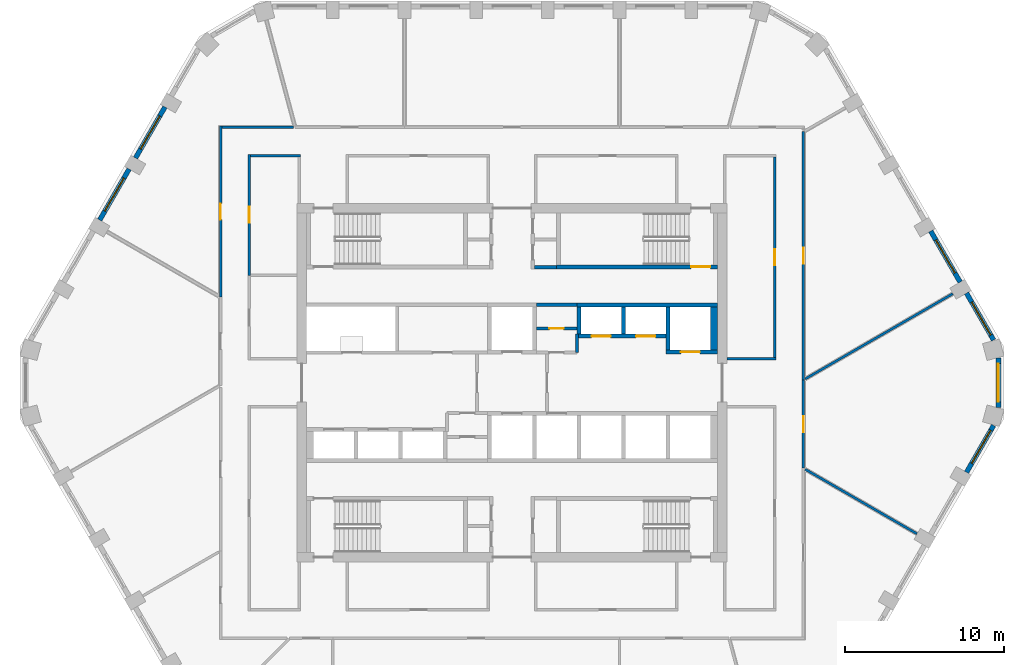
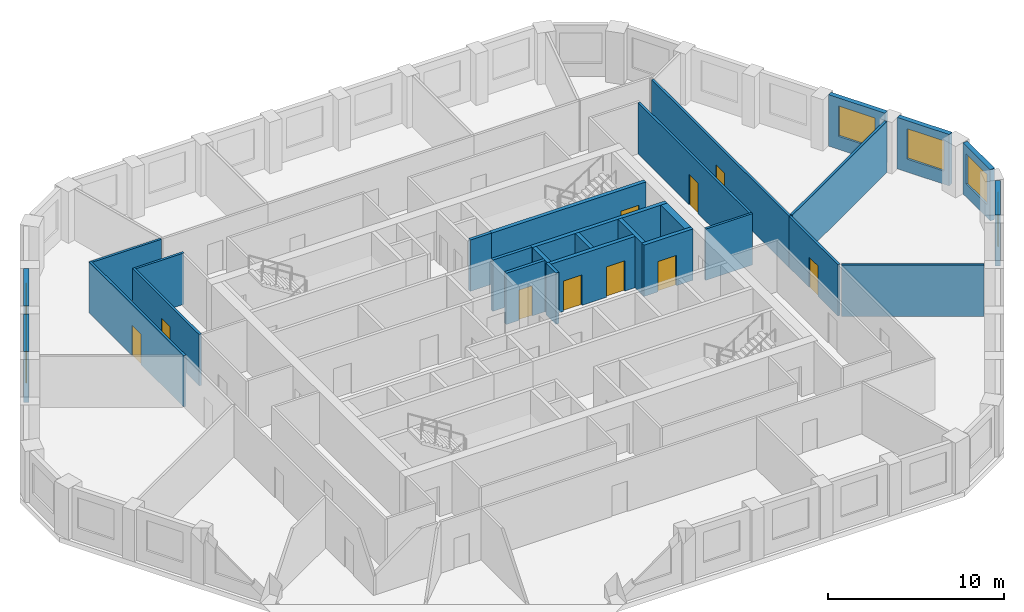
# One storey, part 5 of 13: 28 walls, 10 doors, 6 windows, 16 openings.
"""IFC4 building model written with IfcOpenShell, lengths in metres."""

from ifc_helpers import new_model, si_unit, direction, frame, frame_2d, origin, place, context, subcontext, project, spatial, polyline, rectangle, outline, extrude, material, layer, layer_set, type_object, element, fill, save


model = new_model("IFC4")

# Units and contexts
model_context = context("Model", 3, precision=1e-05, world=origin(), true_north=direction((0.0, 1.0)))
body_context = subcontext(model_context, "Body", "Model", "MODEL_VIEW")
ifc_project = project(units=[si_unit("LENGTHUNIT", "METRE"), si_unit("AREAUNIT", "SQUARE_METRE"), si_unit("VOLUMEUNIT", "CUBIC_METRE"), si_unit("PLANEANGLEUNIT", "RADIAN"), si_unit("MASSUNIT", "GRAM", prefix="KILO")], contexts=[model_context])

# Site, building, storey
site_placement = place(None, origin())
site = spatial("IfcSite", under=ifc_project, at=site_placement, CompositionType="ELEMENT")
building_placement = place(site_placement, origin())
building = spatial("IfcBuilding", under=site, at=building_placement, Name="Dhurran Vertical Campus", CompositionType="ELEMENT")
storey_placement = place(building_placement, frame((0.0, 0.0, 187.800048828125)))
storey = spatial("IfcBuildingStorey", under=building, at=storey_placement, Name="L46", CompositionType="ELEMENT", Elevation=187.800048828125)

# Wall, opening, window
ifc_material_1 = material(Name="Precast concrete C50/60", Category="concrete")
ifc_layer_1 = layer(ifc_material_1, 0.300048828125)
ifc_layer_set_1 = layer_set([ifc_layer_1], Name="Precast concrete C50/60")
wall_type_1 = type_object("IfcWallType", Name="Precast spandrel wall 300", PredefinedType="SOLIDWALL", material=ifc_layer_set_1)
wall_1_placement = place(storey_placement, frame((28.544189453125, -5.625244140625, 0.0), z_axis=(0.0, 0.0, 1.0), x_axis=(0.500012868213, 0.866017974191, 0.0)))
wall_1 = element("IfcWall", 1, at=wall_1_placement, inside=storey, type_object=wall_type_1, Name="EW1 L46.12", PredefinedType="SOLIDWALL", context=body_context, shape_type="SweptSolid", body=[
    extrude(rectangle(XDim=3.39599609375, YDim=0.300048828125, at=frame_2d((1.697998046875, 0.0))), origin(), (0.0, 0.0, 1.0), 3.550048828125),
])
opening_1_placement = place(wall_1_placement, frame((0.6494140625, 0.0, 0.89990234375)))
opening_1 = element("IfcOpeningElement", 2, at=opening_1_placement, cuts=wall_1, Name="Opening WT1", PredefinedType="OPENING", context=body_context, shape_type="SweptSolid", body=[
    extrude(rectangle(XDim=2.39990234375, YDim=2.10009765625, at=frame_2d((1.199951171875, 1.050048828125))), frame((0.0, 0.159912109375, 0.0), z_axis=(0.0, -1.0, 0.0), x_axis=(1.0, 0.0, 0.0)), (0.0, 0.0, 1.0), 0.320068359375),
])
ifc_material_2 = material(Name="Aluminium frame with solar-control glass", Category="aluminium")
window_type = type_object("IfcWindowType", Name="Punched window 2400 x 2100", PartitioningType="SINGLE_PANEL", PredefinedType="WINDOW", material=ifc_material_2)
window_1_placement = place(opening_1_placement, origin())
window_1 = element("IfcWindow", 3, at=window_1_placement, inside=storey, type_object=window_type, Name="WT1 L46.12", OverallHeight=2.10009765625, OverallWidth=2.39990234375, PartitioningType="SINGLE_PANEL", PredefinedType="WINDOW", context=body_context, shape_type="SweptSolid", body=[
    extrude(rectangle(XDim=2.39990234375, YDim=2.10009765625, at=frame_2d((1.199951171875, 1.050048828125))), frame((0.0, 0.030029296875, 0.0), z_axis=(0.0, -1.0, 0.0), x_axis=(1.0, 0.0, 0.0)), (0.0, 0.0, 1.0), 0.06005859375),
])
fill(opening_1, window_1)

wall_2_placement = place(storey_placement, frame((30.547119140625, -1.54638671875, 0.0), z_axis=(0.0, 0.0, 1.0), x_axis=(0.0, 1.0, 0.0)))
wall_2 = element("IfcWall", 4, at=wall_2_placement, inside=storey, type_object=wall_type_1, Name="EW1 L46.13", PredefinedType="SOLIDWALL", context=body_context, shape_type="SweptSolid", body=[
    extrude(rectangle(XDim=3.0927734375, YDim=0.300048828125, at=frame_2d((1.54638671875, 0.0))), origin(), (0.0, 0.0, 1.0), 3.550048828125),
])
opening_2_placement = place(wall_2_placement, frame((0.34619140625, 0.0, 0.89990234375)))
opening_2 = element("IfcOpeningElement", 5, at=opening_2_placement, cuts=wall_2, Name="Opening WT1", PredefinedType="OPENING", context=body_context, shape_type="SweptSolid", body=[
    extrude(rectangle(XDim=2.39990234375, YDim=2.10009765625, at=frame_2d((1.199951171875, 1.050048828125))), frame((0.0, 0.159912109375, 0.0), z_axis=(0.0, -1.0, 0.0), x_axis=(1.0, 0.0, 0.0)), (0.0, 0.0, 1.0), 0.320068359375),
])
window_2_placement = place(opening_2_placement, origin())
window_2 = element("IfcWindow", 6, at=window_2_placement, inside=storey, type_object=window_type, Name="WT1 L46.13", OverallHeight=2.10009765625, OverallWidth=2.39990234375, PartitioningType="SINGLE_PANEL", PredefinedType="WINDOW", context=body_context, shape_type="SweptSolid", body=[
    extrude(rectangle(XDim=2.39990234375, YDim=2.10009765625, at=frame_2d((1.199951171875, 1.050048828125))), frame((0.0, 0.030029296875, 0.0), z_axis=(0.0, -1.0, 0.0), x_axis=(1.0, 0.0, 0.0)), (0.0, 0.0, 1.0), 0.06005859375),
])
fill(opening_2, window_2)

wall_3_placement = place(storey_placement, frame((30.2421875, 2.684326171875, 0.0), z_axis=(0.0, 0.0, 1.0), x_axis=(-0.500012868213, 0.866017974191, 0.0)))
wall_3 = element("IfcWall", 7, at=wall_3_placement, inside=storey, type_object=wall_type_1, Name="EW1 L46.14", PredefinedType="SOLIDWALL", context=body_context, shape_type="SweptSolid", body=[
    extrude(rectangle(XDim=3.39599609375, YDim=0.300048828125, at=frame_2d((1.697998046875, 0.0))), origin(), (0.0, 0.0, 1.0), 3.550048828125),
])
opening_3_placement = place(wall_3_placement, frame((0.346435546875, 0.0, 0.89990234375)))
opening_3 = element("IfcOpeningElement", 8, at=opening_3_placement, cuts=wall_3, Name="Opening WT1", PredefinedType="OPENING", context=body_context, shape_type="SweptSolid", body=[
    extrude(rectangle(XDim=2.39990234375, YDim=2.10009765625, at=frame_2d((1.199951171875, 1.050048828125))), frame((0.0, 0.159912109375, 0.0), z_axis=(0.0, -1.0, 0.0), x_axis=(1.0, 0.0, 0.0)), (0.0, 0.0, 1.0), 0.320068359375),
])
window_3_placement = place(opening_3_placement, origin())
window_3 = element("IfcWindow", 9, at=window_3_placement, inside=storey, type_object=window_type, Name="WT1 L46.14", OverallHeight=2.10009765625, OverallWidth=2.39990234375, PartitioningType="SINGLE_PANEL", PredefinedType="WINDOW", context=body_context, shape_type="SweptSolid", body=[
    extrude(rectangle(XDim=2.39990234375, YDim=2.10009765625, at=frame_2d((1.199951171875, 1.050048828125))), frame((0.0, 0.030029296875, 0.0), z_axis=(0.0, -1.0, 0.0), x_axis=(1.0, 0.0, 0.0)), (0.0, 0.0, 1.0), 0.06005859375),
])
fill(opening_3, window_3)

wall_4_placement = place(storey_placement, frame((28.143798828125, 6.319091796875, 0.0), z_axis=(0.0, 0.0, 1.0), x_axis=(-0.500029062817, 0.866008623709, 0.0)))
wall_4 = element("IfcWall", 10, at=wall_4_placement, inside=storey, type_object=wall_type_1, Name="EW1 L46.15", PredefinedType="SOLIDWALL", context=body_context, shape_type="SweptSolid", body=[
    extrude(rectangle(XDim=3.698974609375, YDim=0.300048828125, at=frame_2d((1.849609375, 0.0))), origin(), (0.0, 0.0, 1.0), 3.550048828125),
])
opening_4_placement = place(wall_4_placement, frame((0.6494140625, 0.0, 0.89990234375)))
opening_4 = element("IfcOpeningElement", 11, at=opening_4_placement, cuts=wall_4, Name="Opening WT1", PredefinedType="OPENING", context=body_context, shape_type="SweptSolid", body=[
    extrude(rectangle(XDim=2.39990234375, YDim=2.10009765625, at=frame_2d((1.199951171875, 1.050048828125))), frame((0.0, 0.159912109375, 0.0), z_axis=(0.0, -1.0, 0.0), x_axis=(1.0, 0.0, 0.0)), (0.0, 0.0, 1.0), 0.320068359375),
])
window_4_placement = place(opening_4_placement, origin())
window_4 = element("IfcWindow", 12, at=window_4_placement, inside=storey, type_object=window_type, Name="WT1 L46.15", OverallHeight=2.10009765625, OverallWidth=2.39990234375, PartitioningType="SINGLE_PANEL", PredefinedType="WINDOW", context=body_context, shape_type="SweptSolid", body=[
    extrude(rectangle(XDim=2.39990234375, YDim=2.10009765625, at=frame_2d((1.199951171875, 1.050048828125))), frame((0.0, 0.030029296875, 0.0), z_axis=(0.0, -1.0, 0.0), x_axis=(1.0, 0.0, 0.0)), (0.0, 0.0, 1.0), 0.06005859375),
])
fill(opening_4, window_4)

wall_5_placement = place(storey_placement, frame((-21.794189453125, 17.316650390625, 0.0), z_axis=(0.0, 0.0, 1.0), x_axis=(-0.500029062817, -0.866008623709, 0.0)))
wall_5 = element("IfcWall", 13, at=wall_5_placement, inside=storey, type_object=wall_type_1, Name="EW1 L46.29", PredefinedType="SOLIDWALL", context=body_context, shape_type="SweptSolid", body=[
    extrude(rectangle(XDim=3.698974609375, YDim=0.300048828125, at=frame_2d((1.849609375, 0.0))), origin(), (0.0, 0.0, 1.0), 3.550048828125),
])
opening_5_placement = place(wall_5_placement, frame((0.6494140625, 0.0, 0.89990234375)))
opening_5 = element("IfcOpeningElement", 14, at=opening_5_placement, cuts=wall_5, Name="Opening WT1", PredefinedType="OPENING", context=body_context, shape_type="SweptSolid", body=[
    extrude(rectangle(XDim=2.39990234375, YDim=2.10009765625, at=frame_2d((1.199951171875, 1.050048828125))), frame((0.0, 0.159912109375, 0.0), z_axis=(0.0, -1.0, 0.0), x_axis=(1.0, 0.0, 0.0)), (0.0, 0.0, 1.0), 0.320068359375),
])
window_5_placement = place(opening_5_placement, origin())
window_5 = element("IfcWindow", 15, at=window_5_placement, inside=storey, type_object=window_type, Name="WT1 L46.29", OverallHeight=2.10009765625, OverallWidth=2.39990234375, PartitioningType="SINGLE_PANEL", PredefinedType="WINDOW", context=body_context, shape_type="SweptSolid", body=[
    extrude(rectangle(XDim=2.39990234375, YDim=2.10009765625, at=frame_2d((1.199951171875, 1.050048828125))), frame((0.0, 0.030029296875, 0.0), z_axis=(0.0, -1.0, 0.0), x_axis=(1.0, 0.0, 0.0)), (0.0, 0.0, 1.0), 0.06005859375),
])
fill(opening_5, window_5)

wall_6_placement = place(storey_placement, frame((-24.044189453125, 13.41943359375, 0.0), z_axis=(0.0, 0.0, 1.0), x_axis=(-0.500029062817, -0.866008623709, 0.0)))
wall_6 = element("IfcWall", 16, at=wall_6_placement, inside=storey, type_object=wall_type_1, Name="EW1 L46.30", PredefinedType="SOLIDWALL", context=body_context, shape_type="SweptSolid", body=[
    extrude(rectangle(XDim=3.698974609375, YDim=0.300048828125, at=frame_2d((1.849609375, 0.0))), origin(), (0.0, 0.0, 1.0), 3.550048828125),
])
opening_6_placement = place(wall_6_placement, frame((0.6494140625, 0.0, 0.89990234375)))
opening_6 = element("IfcOpeningElement", 17, at=opening_6_placement, cuts=wall_6, Name="Opening WT1", PredefinedType="OPENING", context=body_context, shape_type="SweptSolid", body=[
    extrude(rectangle(XDim=2.39990234375, YDim=2.10009765625, at=frame_2d((1.199951171875, 1.050048828125))), frame((0.0, 0.159912109375, 0.0), z_axis=(0.0, -1.0, 0.0), x_axis=(1.0, 0.0, 0.0)), (0.0, 0.0, 1.0), 0.320068359375),
])
window_6_placement = place(opening_6_placement, origin())
window_6 = element("IfcWindow", 18, at=window_6_placement, inside=storey, type_object=window_type, Name="WT1 L46.30", OverallHeight=2.10009765625, OverallWidth=2.39990234375, PartitioningType="SINGLE_PANEL", PredefinedType="WINDOW", context=body_context, shape_type="SweptSolid", body=[
    extrude(rectangle(XDim=2.39990234375, YDim=2.10009765625, at=frame_2d((1.199951171875, 1.050048828125))), frame((0.0, 0.030029296875, 0.0), z_axis=(0.0, -1.0, 0.0), x_axis=(1.0, 0.0, 0.0)), (0.0, 0.0, 1.0), 0.06005859375),
])
fill(opening_6, window_6)

# Wall
ifc_material_3 = material(Name="Fire-rated masonry blockwork", Category="masonry")
ifc_layer_2 = layer(ifc_material_3, 0.199951171875)
ifc_layer_set_2 = layer_set([ifc_layer_2], Name="Fire-rated masonry blockwork")
wall_type_2 = type_object("IfcWallType", Name="co-FIRE-PARTITION-200", PredefinedType="PARTITIONING", material=ifc_layer_set_2)
wall_7_placement = place(storey_placement, frame((1.39990234375, 7.25, 0.0), z_axis=(0.0, 0.0, 1.0), x_axis=(1.0, 0.0, 0.0)))
element("IfcWall", 19, at=wall_7_placement, inside=storey, type_object=wall_type_2, Name="Core partition sl-NE-S L46", PredefinedType="PARTITIONING", context=body_context, shape_type="SweptSolid", body=[
    extrude(rectangle(XDim=1.400146484375, YDim=0.199951171875, at=frame_2d((0.7001953125, 0.0))), origin(), (0.0, 0.0, 1.0), 3.550048828125),
])

# Wall, opening, door
wall_8_placement = place(storey_placement, frame((1.52490234375, 3.39990234375, 0.0), z_axis=(0.0, 0.0, 1.0), x_axis=(1.0, 0.0, 0.0)))
wall_8 = element("IfcWall", 20, at=wall_8_placement, inside=storey, type_object=wall_type_2, Name="Core partition fr-N1-c L46", PredefinedType="PARTITIONING", context=body_context, shape_type="SweptSolid", body=[
    extrude(rectangle(XDim=2.550048828125, YDim=0.199951171875, at=frame_2d((1.27490234375, 0.0))), origin(), (0.0, 0.0, 1.0), 3.550048828125),
])
opening_7_placement = place(wall_8_placement, frame((0.824951171875, 0.0, 0.0)))
opening_7 = element("IfcOpeningElement", 21, at=opening_7_placement, cuts=wall_8, Name="Opening T13-C10", PredefinedType="OPENING", context=body_context, shape_type="SweptSolid", body=[
    extrude(rectangle(XDim=0.89990234375, YDim=2.10009765625, at=frame_2d((0.449951171875, 1.050048828125))), frame((0.0, 0.10986328125, 0.0), z_axis=(0.0, -1.0, 0.0), x_axis=(1.0, 0.0, 0.0)), (0.0, 0.0, 1.0), 0.219970703125),
])
ifc_material_4 = material(Name="Fire-rated timber door set", Category="wood")
door_type_1 = type_object("IfcDoorType", Name="co-D-ROOM 900x2100", OperationType="SINGLE_SWING_LEFT", PredefinedType="DOOR", material=ifc_material_4)
door_1_placement = place(opening_7_placement, origin())
door_1 = element("IfcDoor", 22, at=door_1_placement, inside=storey, type_object=door_type_1, Name="Cleaner's store door L46", OperationType="SINGLE_SWING_LEFT", OverallHeight=2.10009765625, OverallWidth=0.89990234375, PredefinedType="DOOR", context=body_context, shape_type="SweptSolid", body=[
    extrude(rectangle(XDim=0.89990234375, YDim=2.10009765625, at=frame_2d((0.449951171875, 1.050048828125))), frame((0.0, 0.02490234375, 0.0), z_axis=(0.0, -1.0, 0.0), x_axis=(1.0, 0.0, 0.0)), (0.0, 0.0, 1.0), 0.050048828125),
])
fill(opening_7, door_1)

# Walls
wall_9_placement = place(storey_placement, frame((1.52490234375, 4.89990234375, 0.0), z_axis=(0.0, 0.0, 1.0), x_axis=(1.0, 0.0, 0.0)))
element("IfcWall", 23, at=wall_9_placement, inside=storey, type_object=wall_type_2, Name="Core partition fr-N1-b L46", PredefinedType="PARTITIONING", context=body_context, shape_type="SweptSolid", body=[
    extrude(rectangle(XDim=2.550048828125, YDim=0.199951171875, at=frame_2d((1.27490234375, 0.0))), origin(), (0.0, 0.0, 1.0), 3.550048828125),
])
wall_10_placement = place(storey_placement, frame((4.074951171875, 1.89990234375, 0.0), z_axis=(0.0, 0.0, 1.0), x_axis=(0.0, 1.0, 0.0)))
element("IfcWall", 24, at=wall_10_placement, inside=storey, type_object=wall_type_2, Name="Core partition fr-N1-n1 L46", PredefinedType="PARTITIONING", context=body_context, shape_type="SweptSolid", body=[
    extrude(rectangle(XDim=1.150146484375, YDim=0.199951171875, at=frame_2d((0.5751953125, 0.0))), origin(), (0.0, 0.0, 1.0), 3.550048828125),
])

# Wall, openings, doors
ifc_material_5 = material(Name="Concrete C50/60", Category="concrete")
ifc_layer_3 = layer(ifc_material_5, 0.25)
ifc_layer_set_3 = layer_set([ifc_layer_3], Name="Concrete C50/60")
wall_type_3 = type_object("IfcWallType", Name="co-SHAFT-FRONT-250", PredefinedType="SHEAR", material=ifc_layer_set_3)
wall_11_placement = place(storey_placement, frame((4.074951171875, 2.925048828125, 0.0), z_axis=(0.0, 0.0, 1.0), x_axis=(1.0, 0.0, 0.0)))
wall_11 = element("IfcWall", 25, at=wall_11_placement, inside=storey, type_object=wall_type_3, Name="Lift landing wall N L46", PredefinedType="SHEAR", context=body_context, shape_type="SweptSolid", body=[
    extrude(rectangle(XDim=5.85009765625, YDim=0.25, at=frame_2d((2.925048828125, 0.0))), origin(), (0.0, 0.0, 1.0), 3.550048828125),
])
opening_8_placement = place(wall_11_placement, frame((0.925048828125, 0.0, 0.0)))
opening_8 = element("IfcOpeningElement", 26, at=opening_8_placement, cuts=wall_11, Name="Opening LD", PredefinedType="OPENING", context=body_context, shape_type="SweptSolid", body=[
    extrude(rectangle(XDim=1.199951171875, YDim=2.10009765625, at=frame_2d((0.60009765625, 1.050048828125))), frame((0.0, 0.135009765625, 0.0), z_axis=(0.0, -1.0, 0.0), x_axis=(1.0, 0.0, 0.0)), (0.0, 0.0, 1.0), 0.27001953125),
])
opening_9_placement = place(wall_11_placement, frame((3.72509765625, 0.0, 0.0)))
opening_9 = element("IfcOpeningElement", 27, at=opening_9_placement, cuts=wall_11, Name="Opening LD", PredefinedType="OPENING", context=body_context, shape_type="SweptSolid", body=[
    extrude(rectangle(XDim=1.199951171875, YDim=2.10009765625, at=frame_2d((0.60009765625, 1.050048828125))), frame((0.0, 0.135009765625, 0.0), z_axis=(0.0, -1.0, 0.0), x_axis=(1.0, 0.0, 0.0)), (0.0, 0.0, 1.0), 0.27001953125),
])
ifc_material_6 = material(Name="Stainless steel landing door", Category="steel")
door_type_2 = type_object("IfcDoorType", Name="co-D-LANDING 1200x2100", OperationType="DOUBLE_DOOR_SLIDING", PredefinedType="DOOR", material=ifc_material_6)
door_2_placement = place(opening_8_placement, origin())
door_2 = element("IfcDoor", 28, at=door_2_placement, inside=storey, type_object=door_type_2, Name="Landing door MR1 L46", OperationType="DOUBLE_DOOR_SLIDING", OverallHeight=2.10009765625, OverallWidth=1.199951171875, PredefinedType="DOOR", context=body_context, shape_type="SweptSolid", body=[
    extrude(rectangle(XDim=1.199951171875, YDim=2.10009765625, at=frame_2d((0.60009765625, 1.050048828125))), frame((0.0, 0.02490234375, 0.0), z_axis=(0.0, -1.0, 0.0), x_axis=(1.0, 0.0, 0.0)), (0.0, 0.0, 1.0), 0.050048828125),
])
fill(opening_8, door_2)
door_3_placement = place(opening_9_placement, origin())
door_3 = element("IfcDoor", 29, at=door_3_placement, inside=storey, type_object=door_type_2, Name="Landing door MR2 L46", OperationType="DOUBLE_DOOR_SLIDING", OverallHeight=2.10009765625, OverallWidth=1.199951171875, PredefinedType="DOOR", context=body_context, shape_type="SweptSolid", body=[
    extrude(rectangle(XDim=1.199951171875, YDim=2.10009765625, at=frame_2d((0.60009765625, 1.050048828125))), frame((0.0, 0.02490234375, 0.0), z_axis=(0.0, -1.0, 0.0), x_axis=(1.0, 0.0, 0.0)), (0.0, 0.0, 1.0), 0.050048828125),
])
fill(opening_9, door_3)

# Wall, opening, door
wall_12_placement = place(storey_placement, frame((9.675048828125, 1.925048828125, 0.0), z_axis=(0.0, 0.0, 1.0), x_axis=(1.0, 0.0, 0.0)))
wall_12 = element("IfcWall", 30, at=wall_12_placement, inside=storey, type_object=wall_type_3, Name="Lift landing wall N L46", PredefinedType="SHEAR", context=body_context, shape_type="SweptSolid", body=[
    extrude(rectangle(XDim=3.224853515625, YDim=0.25, at=frame_2d((1.6123046875, 0.0))), origin(), (0.0, 0.0, 1.0), 3.550048828125),
])
opening_10_placement = place(wall_12_placement, frame((0.925048828125, 0.0, 0.0)))
opening_10 = element("IfcOpeningElement", 31, at=opening_10_placement, cuts=wall_12, Name="Opening LD", PredefinedType="OPENING", context=body_context, shape_type="SweptSolid", body=[
    extrude(rectangle(XDim=1.199951171875, YDim=2.10009765625, at=frame_2d((0.60009765625, 1.050048828125))), frame((0.0, 0.135009765625, 0.0), z_axis=(0.0, -1.0, 0.0), x_axis=(1.0, 0.0, 0.0)), (0.0, 0.0, 1.0), 0.27001953125),
])
door_4_placement = place(opening_10_placement, origin())
door_4 = element("IfcDoor", 32, at=door_4_placement, inside=storey, type_object=door_type_2, Name="Landing door SV2 L46", OperationType="DOUBLE_DOOR_SLIDING", OverallHeight=2.10009765625, OverallWidth=1.199951171875, PredefinedType="DOOR", context=body_context, shape_type="SweptSolid", body=[
    extrude(rectangle(XDim=1.199951171875, YDim=2.10009765625, at=frame_2d((0.60009765625, 1.050048828125))), frame((0.0, 0.02490234375, 0.0), z_axis=(0.0, -1.0, 0.0), x_axis=(1.0, 0.0, 0.0)), (0.0, 0.0, 1.0), 0.050048828125),
])
fill(opening_10, door_4)

# Walls
ifc_material_7 = material(Name="Concrete C50/60", Category="concrete")
ifc_layer_4 = layer(ifc_material_7, 0.25)
ifc_layer_set_4 = layer_set([ifc_layer_4], Name="Concrete C50/60")
wall_type_4 = type_object("IfcWallType", Name="co-SHAFT-MASS-250", PredefinedType="SHEAR", material=ifc_layer_set_4)
wall_13_placement = place(storey_placement, origin())
element("IfcWall", 33, at=wall_13_placement, inside=storey, type_object=wall_type_4, Name="Lift shaft wall N L46 2", PredefinedType="SHEAR", context=body_context, shape_type="SweptSolid", body=[
    extrude(outline(polyline([(4.074951171875, 4.75), (12.89990234375, 4.75), (12.89990234375, 5.0), (4.074951171875, 5.0), (4.074951171875, 4.75)])), origin(), (0.0, 0.0, 1.0), 3.550048828125),
])
wall_14_placement = place(storey_placement, origin())
element("IfcWall", 34, at=wall_14_placement, inside=storey, type_object=wall_type_4, Name="Lift shaft wall N L46 5", PredefinedType="SHEAR", context=body_context, shape_type="SweptSolid", body=[
    extrude(outline(polyline([(9.675048828125, 2.050048828125), (9.925048828125, 2.050048828125), (9.925048828125, 4.75), (9.675048828125, 4.75), (9.675048828125, 2.050048828125)])), origin(), (0.0, 0.0, 1.0), 3.550048828125),
])
wall_15_placement = place(storey_placement, origin())
element("IfcWall", 35, at=wall_15_placement, inside=storey, type_object=wall_type_4, Name="Lift shaft wall N L46 6", PredefinedType="SHEAR", context=body_context, shape_type="SweptSolid", body=[
    extrude(outline(polyline([(12.47509765625, 2.050048828125), (12.89990234375, 2.050048828125), (12.89990234375, 4.75), (12.47509765625, 4.75), (12.47509765625, 2.050048828125)])), origin(), (0.0, 0.0, 1.0), 3.550048828125),
])
wall_16_placement = place(storey_placement, origin())
element("IfcWall", 36, at=wall_16_placement, inside=storey, type_object=wall_type_4, Name="Lift shaft wall N L46 7", PredefinedType="SHEAR", context=body_context, shape_type="SweptSolid", body=[
    extrude(outline(polyline([(4.074951171875, 3.050048828125), (4.324951171875, 3.050048828125), (4.324951171875, 4.75), (4.074951171875, 4.75), (4.074951171875, 3.050048828125)])), origin(), (0.0, 0.0, 1.0), 3.550048828125),
])
wall_17_placement = place(storey_placement, origin())
element("IfcWall", 37, at=wall_17_placement, inside=storey, type_object=wall_type_4, Name="Lift shaft wall N L46 8", PredefinedType="SHEAR", context=body_context, shape_type="SweptSolid", body=[
    extrude(outline(polyline([(6.875, 3.050048828125), (7.125, 3.050048828125), (7.125, 4.75), (6.875, 4.75), (6.875, 3.050048828125)])), origin(), (0.0, 0.0, 1.0), 3.550048828125),
])

# Wall, opening, door
ifc_material_8 = material(Name="Concrete C40/50", Category="concrete")
ifc_layer_5 = layer(ifc_material_8, 0.25)
ifc_layer_set_5 = layer_set([ifc_layer_5], Name="Concrete C40/50")
wall_type_5 = type_object("IfcWallType", Name="co-STAIR-WALL-250", PredefinedType="SHEAR", material=ifc_layer_set_5)
wall_18_placement = place(storey_placement, frame((2.800048828125, 7.27490234375, 0.0), z_axis=(0.0, 0.0, 1.0), x_axis=(1.0, 0.0, 0.0)))
wall_18 = element("IfcWall", 38, at=wall_18_placement, inside=storey, type_object=wall_type_5, Name="Stair ST2 enclosure wall L46", PredefinedType="SHEAR", context=body_context, shape_type="SweptSolid", body=[
    extrude(rectangle(XDim=10.099853515625, YDim=0.25, at=frame_2d((5.0498046875, 0.0))), origin(), (0.0, 0.0, 1.0), 3.550048828125),
])
opening_11_placement = place(wall_18_placement, frame((8.449951171875, 0.0, 0.0)))
opening_11 = element("IfcOpeningElement", 39, at=opening_11_placement, cuts=wall_18, Name="Opening SD2", PredefinedType="OPENING", context=body_context, shape_type="SweptSolid", body=[
    extrude(rectangle(XDim=1.199951171875, YDim=2.10009765625, at=frame_2d((0.60009765625, 1.050048828125))), frame((0.0, 0.135009765625, 0.0), z_axis=(0.0, -1.0, 0.0), x_axis=(1.0, 0.0, 0.0)), (0.0, 0.0, 1.0), 0.27001953125),
])
ifc_material_9 = material(Name="Fire-rated steel door set", Category="steel")
door_type_3 = type_object("IfcDoorType", Name="co-D-STAIR 1200x2100", OperationType="SINGLE_SWING_LEFT", PredefinedType="DOOR", material=ifc_material_9)
door_5_placement = place(opening_11_placement, origin())
door_5 = element("IfcDoor", 40, at=door_5_placement, inside=storey, type_object=door_type_3, Name="Stair ST2 door L46", OperationType="SINGLE_SWING_LEFT", OverallHeight=2.10009765625, OverallWidth=1.199951171875, PredefinedType="DOOR", context=body_context, shape_type="SweptSolid", body=[
    extrude(rectangle(XDim=1.199951171875, YDim=2.10009765625, at=frame_2d((0.60009765625, 1.050048828125))), frame((0.0, 0.02490234375, 0.0), z_axis=(0.0, -1.0, 0.0), x_axis=(1.0, 0.0, 0.0)), (0.0, 0.0, 1.0), 0.050048828125),
])
fill(opening_11, door_5)

ifc_material_10 = material(Name="Gypsum board corridor wall on steel studs", Category="steel")
ifc_layer_6 = layer(ifc_material_10, 0.14990234375)
ifc_layer_set_6 = layer_set([ifc_layer_6], Name="Gypsum board corridor wall on steel studs")
wall_type_6 = type_object("IfcWallType", Name="fl-CW-150 corridor wall", PredefinedType="PARTITIONING", material=ifc_layer_set_6)
wall_19_placement = place(storey_placement, frame((-18.300048828125, 16.125, 0.0), z_axis=(0.0, 0.0, 1.0), x_axis=(0.0, -1.0, 0.0)))
wall_19 = element("IfcWall", 41, at=wall_19_placement, inside=storey, type_object=wall_type_6, Name="Partition 46-09", PredefinedType="PARTITIONING", context=body_context, shape_type="SweptSolid", body=[
    extrude(rectangle(XDim=10.756103515625, YDim=0.14990234375, at=frame_2d((5.3779296875, 0.0))), origin(), (0.0, 0.0, 1.0), 3.550048828125),
])
opening_12_placement = place(wall_19_placement, frame((4.8779296875, 0.0, 0.0)))
opening_12 = element("IfcOpeningElement", 42, at=opening_12_placement, cuts=wall_19, Name="Opening T13.03", PredefinedType="OPENING", context=body_context, shape_type="SweptSolid", body=[
    extrude(rectangle(XDim=1.0, YDim=2.10009765625, at=frame_2d((0.5, 1.050048828125))), frame((0.0, 0.0849609375, 0.0), z_axis=(0.0, -1.0, 0.0), x_axis=(1.0, 0.0, 0.0)), (0.0, 0.0, 1.0), 0.169921875),
])
ifc_material_11 = material(Name="Solid-core timber door set, fire-rated", Category="wood")
door_type_4 = type_object("IfcDoorType", Name="fl-D-1000x2100", OperationType="SINGLE_SWING_LEFT", PredefinedType="DOOR", material=ifc_material_11)
door_6_placement = place(opening_12_placement, origin())
door_6 = element("IfcDoor", 43, at=door_6_placement, inside=storey, type_object=door_type_4, Name="Door 46.03", OperationType="SINGLE_SWING_LEFT", OverallHeight=2.10009765625, OverallWidth=1.0, PredefinedType="DOOR", context=body_context, shape_type="SweptSolid", body=[
    extrude(rectangle(XDim=1.0, YDim=2.10009765625, at=frame_2d((0.5, 1.050048828125))), frame((0.0, 0.02490234375, 0.0), z_axis=(0.0, -1.0, 0.0), x_axis=(1.0, 0.0, 0.0)), (0.0, 0.0, 1.0), 0.050048828125),
])
fill(opening_12, door_6)

# Wall
wall_20_placement = place(storey_placement, frame((-13.718994140625, 16.050048828125, 0.0), z_axis=(0.0, 0.0, 1.0), x_axis=(-1.0, 0.0, 0.0)))
element("IfcWall", 44, at=wall_20_placement, inside=storey, type_object=wall_type_6, Name="Partition 46-10", PredefinedType="PARTITIONING", context=body_context, shape_type="SweptSolid", body=[
    extrude(rectangle(XDim=4.506103515625, YDim=0.14990234375, at=frame_2d((2.2529296875, 0.0))), origin(), (0.0, 0.0, 1.0), 3.550048828125),
])

# Wall, opening, door
wall_21_placement = place(storey_placement, frame((-16.5, 6.75, 0.0), z_axis=(0.0, 0.0, 1.0), x_axis=(0.0, 1.0, 0.0)))
wall_21 = element("IfcWall", 45, at=wall_21_placement, inside=storey, type_object=wall_type_6, Name="Partition 46-16", PredefinedType="PARTITIONING", context=body_context, shape_type="SweptSolid", body=[
    extrude(rectangle(XDim=7.574951171875, YDim=0.14990234375, at=frame_2d((3.78759765625, 0.0))), origin(), (0.0, 0.0, 1.0), 3.550048828125),
])
opening_13_placement = place(wall_21_placement, frame((3.28759765625, 0.0, 0.0)))
opening_13 = element("IfcOpeningElement", 46, at=opening_13_placement, cuts=wall_21, Name="Opening T13.07", PredefinedType="OPENING", context=body_context, shape_type="SweptSolid", body=[
    extrude(rectangle(XDim=1.0, YDim=2.10009765625, at=frame_2d((0.5, 1.050048828125))), frame((0.0, 0.0849609375, 0.0), z_axis=(0.0, -1.0, 0.0), x_axis=(1.0, 0.0, 0.0)), (0.0, 0.0, 1.0), 0.169921875),
])
door_7_placement = place(opening_13_placement, origin())
door_7 = element("IfcDoor", 47, at=door_7_placement, inside=storey, type_object=door_type_4, Name="Door 46.07", OperationType="SINGLE_SWING_RIGHT", OverallHeight=2.10009765625, OverallWidth=1.0, PredefinedType="DOOR", context=body_context, shape_type="SweptSolid", body=[
    extrude(rectangle(XDim=1.0, YDim=2.10009765625, at=frame_2d((0.5, 1.050048828125))), frame((0.0, 0.02490234375, 0.0), z_axis=(0.0, -1.0, 0.0), x_axis=(1.0, 0.0, 0.0)), (0.0, 0.0, 1.0), 0.050048828125),
])
fill(opening_13, door_7)

# Walls
wall_22_placement = place(storey_placement, frame((-16.425048828125, 14.25, 0.0), z_axis=(0.0, 0.0, 1.0), x_axis=(1.0, 0.0, 0.0)))
element("IfcWall", 48, at=wall_22_placement, inside=storey, type_object=wall_type_6, Name="Partition 46-18", PredefinedType="PARTITIONING", context=body_context, shape_type="SweptSolid", body=[
    extrude(rectangle(XDim=3.150146484375, YDim=0.14990234375, at=frame_2d((1.5751953125, 0.0))), origin(), (0.0, 0.0, 1.0), 3.550048828125),
])
wall_23_placement = place(storey_placement, frame((16.574951171875, 1.5, 0.0), z_axis=(0.0, 0.0, 1.0), x_axis=(-1.0, 0.0, 0.0)))
element("IfcWall", 49, at=wall_23_placement, inside=storey, type_object=wall_type_6, Name="Partition 46-49", PredefinedType="PARTITIONING", context=body_context, shape_type="SweptSolid", body=[
    extrude(rectangle(XDim=3.074951171875, YDim=0.14990234375, at=frame_2d((1.53759765625, 0.0))), origin(), (0.0, 0.0, 1.0), 3.550048828125),
])

# Wall, opening, door
wall_24_placement = place(storey_placement, frame((16.5, 14.175048828125, 0.0), z_axis=(0.0, 0.0, 1.0), x_axis=(0.0, -1.0, 0.0)))
wall_24 = element("IfcWall", 50, at=wall_24_placement, inside=storey, type_object=wall_type_6, Name="Partition 46-55", PredefinedType="PARTITIONING", context=body_context, shape_type="SweptSolid", body=[
    extrude(rectangle(XDim=12.60009765625, YDim=0.14990234375, at=frame_2d((6.300048828125, 0.0))), origin(), (0.0, 0.0, 1.0), 3.550048828125),
])
opening_14_placement = place(wall_24_placement, frame((5.800048828125, 0.0, 0.0)))
opening_14 = element("IfcOpeningElement", 51, at=opening_14_placement, cuts=wall_24, Name="Opening T13.19", PredefinedType="OPENING", context=body_context, shape_type="SweptSolid", body=[
    extrude(rectangle(XDim=1.0, YDim=2.10009765625, at=frame_2d((0.5, 1.050048828125))), frame((0.0, 0.0849609375, 0.0), z_axis=(0.0, -1.0, 0.0), x_axis=(1.0, 0.0, 0.0)), (0.0, 0.0, 1.0), 0.169921875),
])
door_8_placement = place(opening_14_placement, origin())
door_8 = element("IfcDoor", 52, at=door_8_placement, inside=storey, type_object=door_type_4, Name="Door 46.19", OperationType="SINGLE_SWING_RIGHT", OverallHeight=2.10009765625, OverallWidth=1.0, PredefinedType="DOOR", context=body_context, shape_type="SweptSolid", body=[
    extrude(rectangle(XDim=1.0, YDim=2.10009765625, at=frame_2d((0.5, 1.050048828125))), frame((0.0, 0.02490234375, 0.0), z_axis=(0.0, -1.0, 0.0), x_axis=(1.0, 0.0, 0.0)), (0.0, 0.0, 1.0), 0.050048828125),
])
fill(opening_14, door_8)

wall_25_placement = place(storey_placement, frame((18.300048828125, -5.368896484375, 0.0), z_axis=(0.0, 0.0, 1.0), x_axis=(0.0, 1.0, 0.0)))
wall_25 = element("IfcWall", 53, at=wall_25_placement, inside=storey, type_object=wall_type_6, Name="Partition 46-57", PredefinedType="PARTITIONING", context=body_context, shape_type="SweptSolid", body=[
    extrude(rectangle(XDim=5.5419921875, YDim=0.14990234375, at=frame_2d((2.77099609375, 0.0))), origin(), (0.0, 0.0, 1.0), 3.550048828125),
])
opening_15_placement = place(wall_25_placement, frame((2.27099609375, 0.0, 0.0)))
opening_15 = element("IfcOpeningElement", 54, at=opening_15_placement, cuts=wall_25, Name="Opening T13.23", PredefinedType="OPENING", context=body_context, shape_type="SweptSolid", body=[
    extrude(rectangle(XDim=1.0, YDim=2.10009765625, at=frame_2d((0.5, 1.050048828125))), frame((0.0, 0.0849609375, 0.0), z_axis=(0.0, -1.0, 0.0), x_axis=(1.0, 0.0, 0.0)), (0.0, 0.0, 1.0), 0.169921875),
])
door_9_placement = place(opening_15_placement, origin())
door_9 = element("IfcDoor", 55, at=door_9_placement, inside=storey, type_object=door_type_4, Name="Door 46.23", OperationType="SINGLE_SWING_LEFT", OverallHeight=2.10009765625, OverallWidth=1.0, PredefinedType="DOOR", context=body_context, shape_type="SweptSolid", body=[
    extrude(rectangle(XDim=1.0, YDim=2.10009765625, at=frame_2d((0.5, 1.050048828125))), frame((0.0, 0.02490234375, 0.0), z_axis=(0.0, -1.0, 0.0), x_axis=(1.0, 0.0, 0.0)), (0.0, 0.0, 1.0), 0.050048828125),
])
fill(opening_15, door_9)

wall_26_placement = place(storey_placement, frame((18.300048828125, 0.173095703125, 0.0), z_axis=(0.0, 0.0, 1.0), x_axis=(0.0, 1.0, 0.0)))
wall_26 = element("IfcWall", 56, at=wall_26_placement, inside=storey, type_object=wall_type_6, Name="Partition 46-59", PredefinedType="PARTITIONING", context=body_context, shape_type="SweptSolid", body=[
    extrude(rectangle(XDim=15.5888671875, YDim=0.14990234375, at=frame_2d((7.79443359375, 0.0))), origin(), (0.0, 0.0, 1.0), 3.550048828125),
])
opening_16_placement = place(wall_26_placement, frame((7.29443359375, 0.0, 0.0)))
opening_16 = element("IfcOpeningElement", 57, at=opening_16_placement, cuts=wall_26, Name="Opening T13.22", PredefinedType="OPENING", context=body_context, shape_type="SweptSolid", body=[
    extrude(rectangle(XDim=1.0, YDim=2.10009765625, at=frame_2d((0.5, 1.050048828125))), frame((0.0, 0.0849609375, 0.0), z_axis=(0.0, -1.0, 0.0), x_axis=(1.0, 0.0, 0.0)), (0.0, 0.0, 1.0), 0.169921875),
])
door_10_placement = place(opening_16_placement, origin())
door_10 = element("IfcDoor", 58, at=door_10_placement, inside=storey, type_object=door_type_4, Name="Door 46.22", OperationType="SINGLE_SWING_RIGHT", OverallHeight=2.10009765625, OverallWidth=1.0, PredefinedType="DOOR", context=body_context, shape_type="SweptSolid", body=[
    extrude(rectangle(XDim=1.0, YDim=2.10009765625, at=frame_2d((0.5, 1.050048828125))), frame((0.0, 0.02490234375, 0.0), z_axis=(0.0, -1.0, 0.0), x_axis=(1.0, 0.0, 0.0)), (0.0, 0.0, 1.0), 0.050048828125),
])
fill(opening_16, door_10)

# Walls
ifc_material_12 = material(Name="Gypsum board partition on steel studs", Category="steel")
ifc_layer_7 = layer(ifc_material_12, 0.14990234375)
ifc_layer_set_7 = layer_set([ifc_layer_7], Name="Gypsum board partition on steel studs")
wall_type_7 = type_object("IfcWallType", Name="fl-PW-150 fixed partition", PredefinedType="PARTITIONING", material=ifc_layer_set_7)
wall_27_placement = place(storey_placement, frame((18.41259765625, -5.43408203125, 0.0), z_axis=(0.0, 0.0, 1.0), x_axis=(0.866017937352, -0.500012932018, 0.0)))
element("IfcWall", 59, at=wall_27_placement, inside=storey, type_object=wall_type_7, Name="Partition 46-58", PredefinedType="PARTITIONING", context=body_context, shape_type="SweptSolid", body=[
    extrude(rectangle(XDim=8.099853515625, YDim=0.14990234375, at=frame_2d((4.0498046875, 0.0))), origin(), (0.0, 0.0, 1.0), 3.550048828125),
])
wall_28_placement = place(storey_placement, frame((27.677001953125, 5.587158203125, 0.0), z_axis=(0.0, 0.0, 1.0), x_axis=(-0.866012662218, -0.50002206839, 0.0)))
element("IfcWall", 60, at=wall_28_placement, inside=storey, type_object=wall_type_7, Name="Partition 46-60", PredefinedType="PARTITIONING", context=body_context, shape_type="SweptSolid", body=[
    extrude(rectangle(XDim=10.69775390625, YDim=0.14990234375, at=frame_2d((5.348876953125, 0.0))), origin(), (0.0, 0.0, 1.0), 3.550048828125),
])

save(model, "model.ifc")
